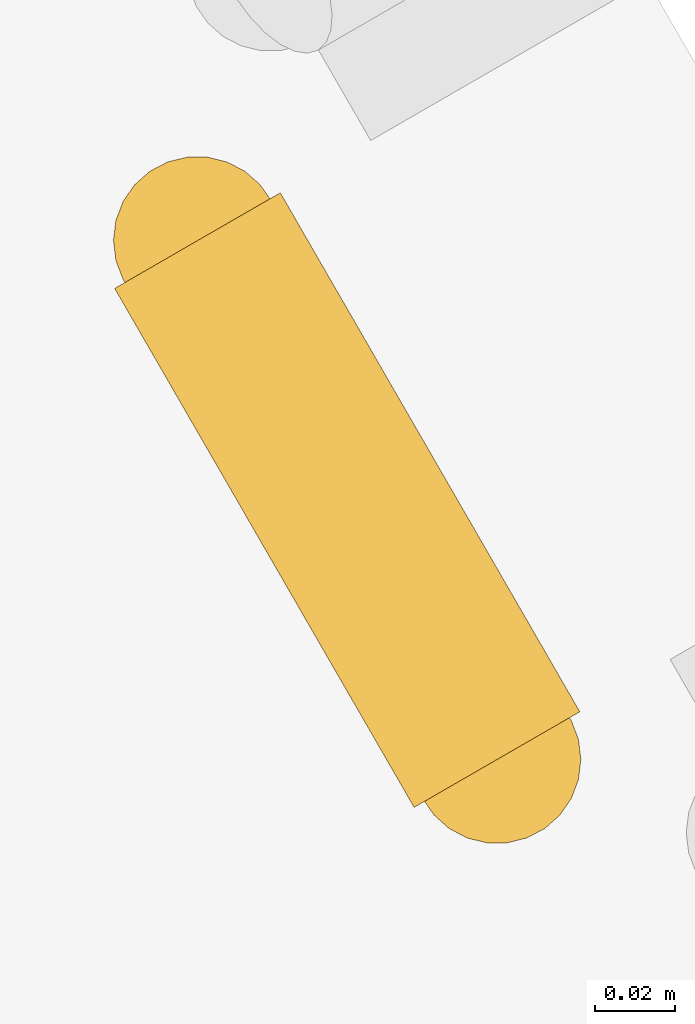
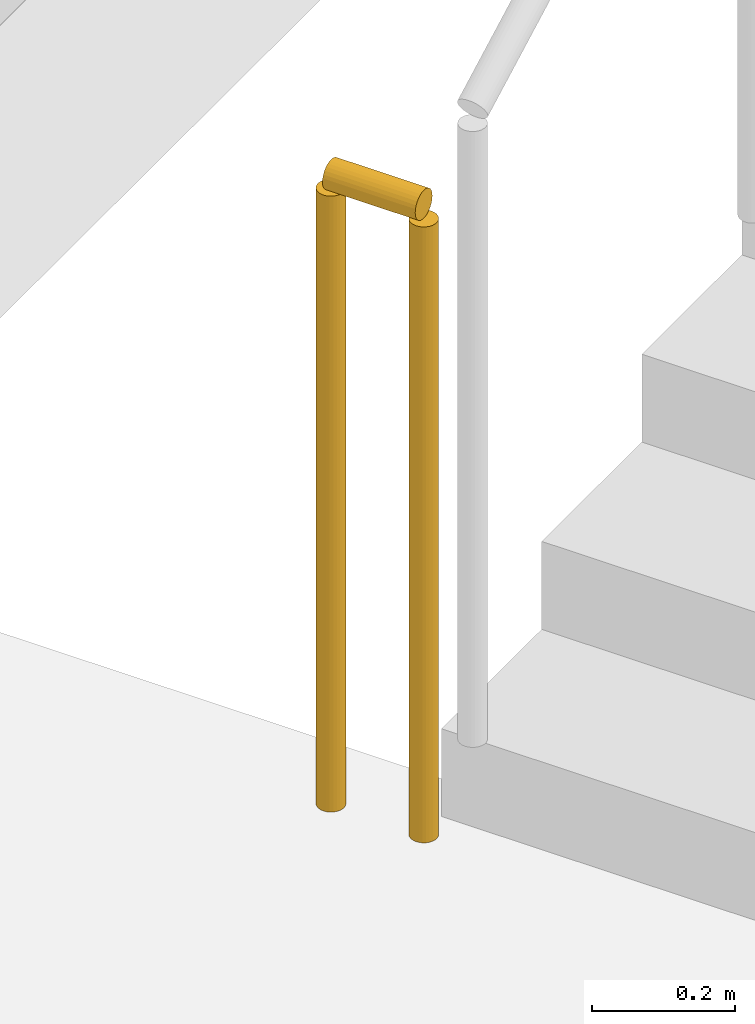
# One storey, part 20 of 26: 1 railing.
"""IFC4 building model written with IfcOpenShell, lengths in metres."""

import ifcopenshell
import ifcopenshell.guid

model = None  # the IFC model being written
_history = None  # IfcOwnerHistory: only IFC2X3 demands one
_inside = {}  # id of a spatial element -> (the spatial element, [elements in it])
_under = {}  # id of a project, library or spatial element -> (it, [spatial elements below it])
_declared = {}  # id of a project -> (the project, [libraries it declares])
_typed = {}  # id of a type object -> (the type object, [elements of that type])
_made_of = {}  # id of a material, layer set ... -> (it, [elements and type objects made of it])


def new_model(schema):
    """Start an empty IFC model of exactly this schema.

    Asked for "IFC4X3", IfcOpenShell would pick the latest addendum, in which some entities
    have other attributes; the version numbers below select the first issue.
    IFC2X3 requires an IfcOwnerHistory on every rooted entity: one is made here for all.
    """
    global model, _history
    if schema == "IFC4X3":
        model = ifcopenshell.file(schema_version=(4, 3, 0, 0))
    else:
        model = ifcopenshell.file(schema=schema)
    _inside.clear()
    _under.clear()
    _declared.clear()
    _typed.clear()
    _made_of.clear()
    _history = None
    if model.schema == "IFC2X3":
        org = make("IfcOrganization", Name="unknown")
        user = make(
            "IfcPersonAndOrganization",
            ThePerson=make("IfcPerson", FamilyName="unknown"),
            TheOrganization=org,
        )
        app = make(
            "IfcApplication",
            ApplicationDeveloper=org,
            Version="unknown",
            ApplicationFullName="unknown",
            ApplicationIdentifier="unknown",
        )
        _history = make(
            "IfcOwnerHistory",
            OwningUser=user,
            OwningApplication=app,
            ChangeAction="ADDED",
            CreationDate=0,
        )
    return model


def make(cls, **values):
    """One entity of the class cls with the attributes given. An attribute that is None is left unset."""
    return model.create_entity(
        cls, **{name: value for name, value in values.items() if value is not None}
    )


def rooted(cls, **values):
    """An entity with a GlobalId (a new one), such as an element, a storey or a relation."""
    return make(cls, GlobalId=ifcopenshell.guid.new(), OwnerHistory=_history, **values)


def si_unit(unit_type, name, prefix=None):
    """IfcSIUnit, for example si_unit("LENGTHUNIT", "METRE", prefix="MILLI")."""
    return make("IfcSIUnit", UnitType=unit_type, Prefix=prefix, Name=name)


def assignment(units):
    """IfcUnitAssignment: the units of a project."""
    return None if units is None else make("IfcUnitAssignment", Units=units)


def point(xyz):
    """IfcCartesianPoint."""
    return None if xyz is None else make("IfcCartesianPoint", Coordinates=xyz)


def direction(xyz):
    """IfcDirection."""
    return None if xyz is None else make("IfcDirection", DirectionRatios=xyz)


def frame(location, z_axis=None, x_axis=None):
    """IfcAxis2Placement3D, a coordinate frame: its origin and axes. An axis left out is left unset."""
    return make(
        "IfcAxis2Placement3D",
        Location=point(location),
        Axis=direction(z_axis),
        RefDirection=direction(x_axis),
    )


def frame_2d(location, x_axis=None):
    """IfcAxis2Placement2D, a coordinate frame in the plane: its origin and x axis."""
    return make(
        "IfcAxis2Placement2D", Location=point(location), RefDirection=direction(x_axis)
    )


def origin():
    """The frame at (0, 0, 0) with its axes left unset."""
    return frame((0.0, 0.0, 0.0))


def origin_2d():
    """The frame at (0, 0) in the plane with its x axis left unset."""
    return frame_2d((0.0, 0.0))


def place(relative_to, where):
    """IfcLocalPlacement: puts the frame where relative to a parent placement (None: the world)."""
    return make(
        "IfcLocalPlacement", PlacementRelTo=relative_to, RelativePlacement=where
    )


def context(
    kind, dimensions, precision=None, world=None, true_north=None, identifier=None
):
    """IfcGeometricRepresentationContext, for example the 3D "Model" context."""
    return make(
        "IfcGeometricRepresentationContext",
        ContextIdentifier=identifier,
        ContextType=kind,
        CoordinateSpaceDimension=dimensions,
        Precision=precision,
        WorldCoordinateSystem=world,
        TrueNorth=true_north,
    )


def subcontext(parent, identifier, kind, view, scale=None):
    """IfcGeometricRepresentationSubContext, for example "Body" below "Model"."""
    return make(
        "IfcGeometricRepresentationSubContext",
        ContextIdentifier=identifier,
        ContextType=kind,
        ParentContext=parent,
        TargetScale=scale,
        TargetView=view,
    )


def project(units=None, contexts=None):
    """IfcProject with its units and contexts."""
    return rooted(
        "IfcProject",
        Name="project",
        RepresentationContexts=contexts,
        UnitsInContext=assignment(units),
    )


def spatial(cls, under=None, at=None, **own):
    """A site, building, storey or space (cls), placed at a placement, below another one or the project."""
    s = rooted(cls, ObjectPlacement=at, **own)
    if under is not None:
        _under.setdefault(under.id(), (under, []))[1].append(s)
    return s


def profile(cls, at=None, kind="AREA", **sizes):
    """A parametric profile (cls). Its sizes go by their IFC names, for example OverallWidth=200.0."""
    return make(cls, ProfileType=kind, Position=at, **sizes)


def circle(**sizes):
    """IfcCircleProfileDef."""
    return profile("IfcCircleProfileDef", **sizes)


def extrude(swept, where, along, depth):
    """IfcExtrudedAreaSolid: the profile swept, set in the frame where, extruded along a direction by depth."""
    return make(
        "IfcExtrudedAreaSolid",
        SweptArea=swept,
        Position=where,
        ExtrudedDirection=direction(along),
        Depth=depth,
    )


def shape(context_of_items, identifier, shape_type, items):
    """IfcShapeRepresentation: the items that make up one representation, for example the "Body"."""
    return make(
        "IfcShapeRepresentation",
        ContextOfItems=context_of_items,
        RepresentationIdentifier=identifier,
        RepresentationType=shape_type,
        Items=items,
    )


def material(Name=None, Category=None):
    """IfcMaterial."""
    return make("IfcMaterial", Name=Name, Category=Category)


def made_of(thing, what):
    """Note that an element or type object is made of a material, layer set ...; save() writes the relation."""
    if what is not None:
        _made_of.setdefault(what.id(), (what, []))[1].append(thing)
    return thing


def type_object(cls, material=None, **own):
    """A type object (cls), such as IfcWallType, which elements share."""
    return made_of(rooted(cls, **own), material)


def element(
    cls,
    number,
    at=None,
    inside=None,
    cuts=None,
    type_object=None,
    material=None,
    context=None,
    identifier="Body",
    shape_type=None,
    held_by="IfcProductDefinitionShape",
    body=None,
    shapes=None,
    **own,
):
    """One element of the class cls, such as IfcWall. Its Tag is "e" and its number.

    at: its placement. inside: the storey or other place that contains it. cuts: it is an
    opening in that element (IfcRelVoidsElement). A single representation is given by context,
    identifier, shape_type and body (its items); several are given by shapes. held_by: the class
    of the entity that holds the representations. save() writes the other relations.
    """
    e = rooted(cls, Tag="e%d" % number, ObjectPlacement=at, **own)
    if body is not None:
        shapes = [shape(context, identifier, shape_type, body)]
    if shapes is not None:
        e.Representation = make(held_by, Representations=shapes)
    if inside is not None:
        _inside.setdefault(inside.id(), (inside, []))[1].append(e)
    if cuts is not None:
        rooted(
            "IfcRelVoidsElement", RelatingBuildingElement=cuts, RelatedOpeningElement=e
        )
    if type_object is not None:
        _typed.setdefault(type_object.id(), (type_object, []))[1].append(e)
    return made_of(e, material)


def aggregate(whole, parts):
    """IfcRelAggregates: a whole, such as a stair, and the parts it consists of."""
    return rooted("IfcRelAggregates", RelatingObject=whole, RelatedObjects=parts)


def save(model, path):
    """Write the relations noted so far, then the file.

    IfcRelAggregates (storeys below a building ...), IfcRelContainedInSpatialStructure (elements
    in a storey), IfcRelDefinesByType, IfcRelAssociatesMaterial and IfcRelDeclares: one each for
    every whole, place, type object, material and project.
    """
    for whole, parts in _under.values():
        aggregate(whole, parts)
    for where, things in _inside.values():
        rooted(
            "IfcRelContainedInSpatialStructure",
            RelatedElements=things,
            RelatingStructure=where,
        )
    for kind, things in _typed.values():
        rooted("IfcRelDefinesByType", RelatedObjects=things, RelatingType=kind)
    for what, things in _made_of.values():
        rooted("IfcRelAssociatesMaterial", RelatedObjects=things, RelatingMaterial=what)
    for by, libraries in _declared.values():
        rooted("IfcRelDeclares", RelatingContext=by, RelatedDefinitions=libraries)
    model.write(path)


model = new_model("IFC4")

# Units and contexts
model_context = context("Model", 3, precision=1e-05, world=origin(), true_north=direction((0.0, 1.0)))
body_context = subcontext(model_context, "Body", "Model", "MODEL_VIEW")
ifc_project = project(units=[si_unit("LENGTHUNIT", "METRE"), si_unit("AREAUNIT", "SQUARE_METRE"), si_unit("VOLUMEUNIT", "CUBIC_METRE"), si_unit("PLANEANGLEUNIT", "RADIAN"), si_unit("MASSUNIT", "GRAM", prefix="KILO")], contexts=[model_context])

# Site, building, storey
site_placement = place(None, origin())
site = spatial("IfcSite", under=ifc_project, at=site_placement, CompositionType="ELEMENT")
building_placement = place(site_placement, origin())
building = spatial("IfcBuilding", under=site, at=building_placement, Name="Trine Commons Tower", CompositionType="ELEMENT")
storey_placement = place(building_placement, frame((0.0, 0.0, 119.699951171875)))
storey = spatial("IfcBuildingStorey", under=building, at=storey_placement, Name="L30", CompositionType="ELEMENT", Elevation=119.699951171875)

# Railing
ifc_material = material(Name="Stainless steel balustrade", Category="steel")
railing_type = type_object("IfcRailingType", Name="Stair guard, steel balustrade 1100", PredefinedType="GUARDRAIL", material=ifc_material)
railing_placement = place(storey_placement, frame((74.73681640625, 59.374755859375, 0.0)))
element("IfcRailing", 1, at=railing_placement, inside=storey, type_object=railing_type, Name="L30 ST2B stair guard 4", PredefinedType="GUARDRAIL", context=body_context, shape_type="SweptSolid", body=[
    extrude(circle(Radius=0.02392578125, at=origin_2d()), frame((0.0, 0.0, 1.076171875), z_axis=(-0.499816412211, 0.866131372301, 0.0), x_axis=(-0.866131372301, -0.499816412211, 0.0)), (0.0, 0.0, 1.0), 0.14990234375),
    extrude(circle(Radius=0.02099609375, at=origin_2d()), origin(), (0.0, 0.0, 1.0), 1.052001953125),
    extrude(circle(Radius=0.02099609375, at=origin_2d()), frame((-0.074951171875, 0.1298828125, 0.0)), (0.0, 0.0, 1.0), 1.052001953125),
])

save(model, "model.ifc")
